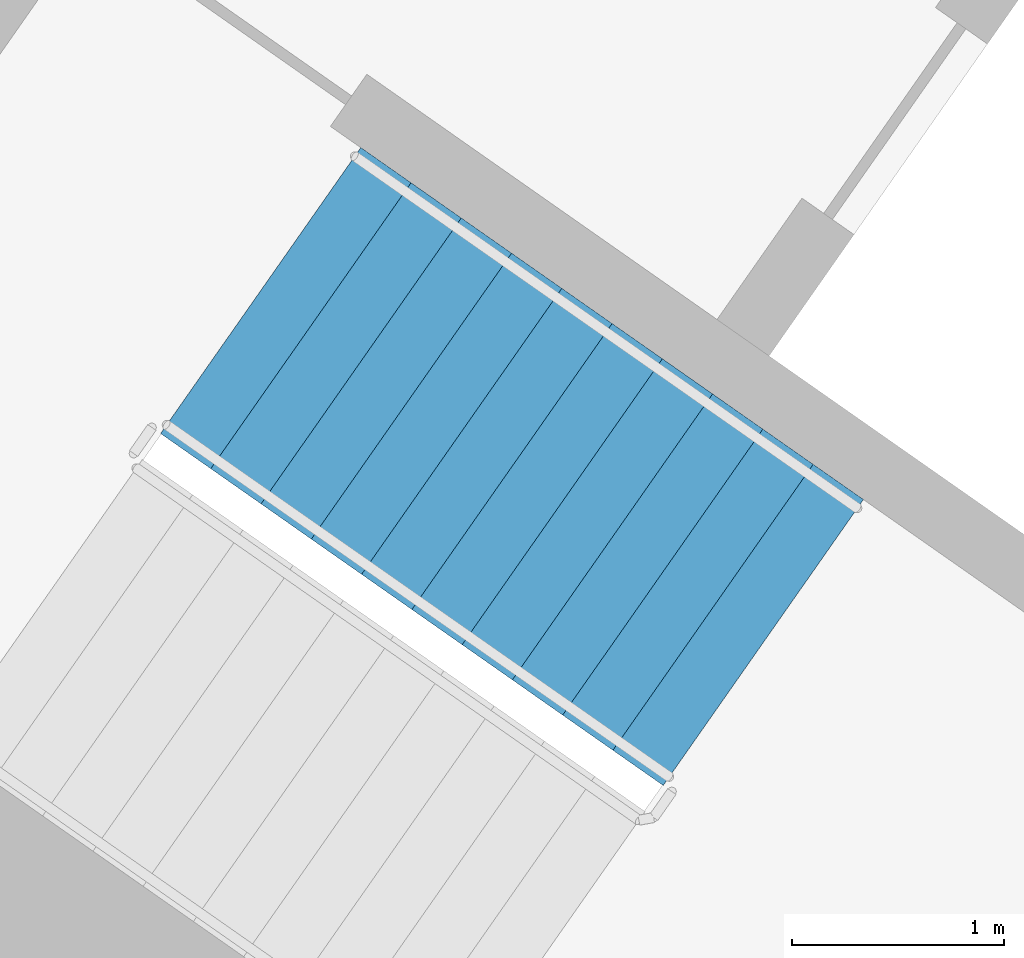
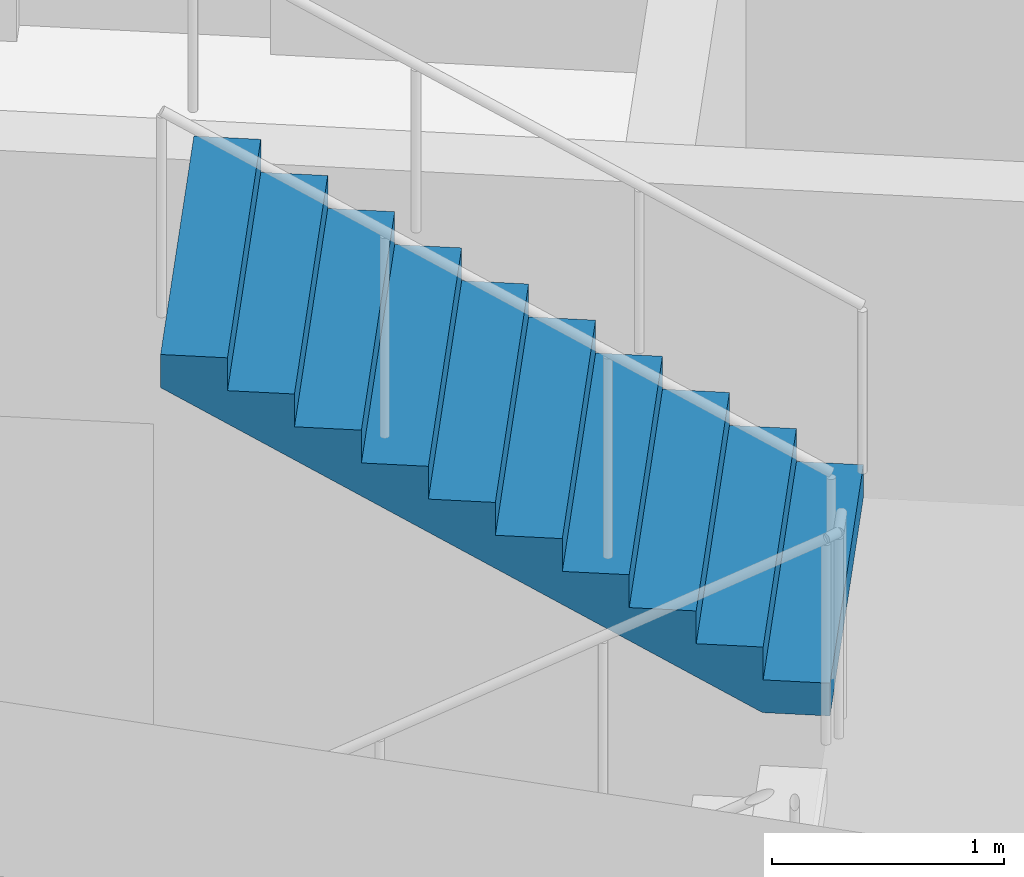
# One storey, part 12 of 33: 1 stair flight, 1 element without a shape of its own.
"""IFC4 building model written with IfcOpenShell, lengths in metres."""

import ifcopenshell
import ifcopenshell.guid

model = None  # the IFC model being written
_history = None  # IfcOwnerHistory: only IFC2X3 demands one
_inside = {}  # id of a spatial element -> (the spatial element, [elements in it])
_under = {}  # id of a project, library or spatial element -> (it, [spatial elements below it])
_declared = {}  # id of a project -> (the project, [libraries it declares])
_typed = {}  # id of a type object -> (the type object, [elements of that type])
_made_of = {}  # id of a material, layer set ... -> (it, [elements and type objects made of it])


def new_model(schema):
    """Start an empty IFC model of exactly this schema.

    Asked for "IFC4X3", IfcOpenShell would pick the latest addendum, in which some entities
    have other attributes; the version numbers below select the first issue.
    IFC2X3 requires an IfcOwnerHistory on every rooted entity: one is made here for all.
    """
    global model, _history
    if schema == "IFC4X3":
        model = ifcopenshell.file(schema_version=(4, 3, 0, 0))
    else:
        model = ifcopenshell.file(schema=schema)
    _inside.clear()
    _under.clear()
    _declared.clear()
    _typed.clear()
    _made_of.clear()
    _history = None
    if model.schema == "IFC2X3":
        org = make("IfcOrganization", Name="unknown")
        user = make(
            "IfcPersonAndOrganization",
            ThePerson=make("IfcPerson", FamilyName="unknown"),
            TheOrganization=org,
        )
        app = make(
            "IfcApplication",
            ApplicationDeveloper=org,
            Version="unknown",
            ApplicationFullName="unknown",
            ApplicationIdentifier="unknown",
        )
        _history = make(
            "IfcOwnerHistory",
            OwningUser=user,
            OwningApplication=app,
            ChangeAction="ADDED",
            CreationDate=0,
        )
    return model


def make(cls, **values):
    """One entity of the class cls with the attributes given. An attribute that is None is left unset."""
    return model.create_entity(
        cls, **{name: value for name, value in values.items() if value is not None}
    )


def rooted(cls, **values):
    """An entity with a GlobalId (a new one), such as an element, a storey or a relation."""
    return make(cls, GlobalId=ifcopenshell.guid.new(), OwnerHistory=_history, **values)


def si_unit(unit_type, name, prefix=None):
    """IfcSIUnit, for example si_unit("LENGTHUNIT", "METRE", prefix="MILLI")."""
    return make("IfcSIUnit", UnitType=unit_type, Prefix=prefix, Name=name)


def assignment(units):
    """IfcUnitAssignment: the units of a project."""
    return None if units is None else make("IfcUnitAssignment", Units=units)


def point(xyz):
    """IfcCartesianPoint."""
    return None if xyz is None else make("IfcCartesianPoint", Coordinates=xyz)


def direction(xyz):
    """IfcDirection."""
    return None if xyz is None else make("IfcDirection", DirectionRatios=xyz)


def frame(location, z_axis=None, x_axis=None):
    """IfcAxis2Placement3D, a coordinate frame: its origin and axes. An axis left out is left unset."""
    return make(
        "IfcAxis2Placement3D",
        Location=point(location),
        Axis=direction(z_axis),
        RefDirection=direction(x_axis),
    )


def origin():
    """The frame at (0, 0, 0) with its axes left unset."""
    return frame((0.0, 0.0, 0.0))


def place(relative_to, where):
    """IfcLocalPlacement: puts the frame where relative to a parent placement (None: the world)."""
    return make(
        "IfcLocalPlacement", PlacementRelTo=relative_to, RelativePlacement=where
    )


def context(
    kind, dimensions, precision=None, world=None, true_north=None, identifier=None
):
    """IfcGeometricRepresentationContext, for example the 3D "Model" context."""
    return make(
        "IfcGeometricRepresentationContext",
        ContextIdentifier=identifier,
        ContextType=kind,
        CoordinateSpaceDimension=dimensions,
        Precision=precision,
        WorldCoordinateSystem=world,
        TrueNorth=true_north,
    )


def subcontext(parent, identifier, kind, view, scale=None):
    """IfcGeometricRepresentationSubContext, for example "Body" below "Model"."""
    return make(
        "IfcGeometricRepresentationSubContext",
        ContextIdentifier=identifier,
        ContextType=kind,
        ParentContext=parent,
        TargetScale=scale,
        TargetView=view,
    )


def project(units=None, contexts=None):
    """IfcProject with its units and contexts."""
    return rooted(
        "IfcProject",
        Name="project",
        RepresentationContexts=contexts,
        UnitsInContext=assignment(units),
    )


def spatial(cls, under=None, at=None, **own):
    """A site, building, storey or space (cls), placed at a placement, below another one or the project."""
    s = rooted(cls, ObjectPlacement=at, **own)
    if under is not None:
        _under.setdefault(under.id(), (under, []))[1].append(s)
    return s


def faces_of(points, faces, orient=None, outer=None):
    """IfcFace entities. A face is a list of loops; a loop is a list of indices into points, from 0.

    orient and outer hold one flag for each loop. By default every Orientation is true, the
    first loop of a face is its IfcFaceOuterBound and the others are IfcFaceBound.
    """
    made = []
    for i, loops in enumerate(faces):
        bounds = []
        for j, loop in enumerate(loops):
            is_outer = j == 0 if outer is None else outer[i][j]
            bounds.append(
                make(
                    "IfcFaceOuterBound" if is_outer else "IfcFaceBound",
                    Bound=make("IfcPolyLoop", Polygon=[points[k] for k in loop]),
                    Orientation=True if orient is None else orient[i][j],
                )
            )
        made.append(make("IfcFace", Bounds=bounds))
    return made


def faceted_brep(points, faces, orient=None, outer=None, voids=None):
    """IfcFacetedBrep: a solid bounded by flat faces; with voids (closed shells), ...WithVoids."""
    shared = [point(p) for p in points]
    hull = make("IfcClosedShell", CfsFaces=faces_of(shared, faces, orient, outer))
    if voids is None:
        return make("IfcFacetedBrep", Outer=hull)
    return make(
        "IfcFacetedBrepWithVoids",
        Outer=hull,
        Voids=[
            make(cls, CfsFaces=faces_of(shared, fs, o, b)) for cls, fs, o, b in voids
        ],
    )


def shape(context_of_items, identifier, shape_type, items):
    """IfcShapeRepresentation: the items that make up one representation, for example the "Body"."""
    return make(
        "IfcShapeRepresentation",
        ContextOfItems=context_of_items,
        RepresentationIdentifier=identifier,
        RepresentationType=shape_type,
        Items=items,
    )


def material(Name=None, Category=None):
    """IfcMaterial."""
    return make("IfcMaterial", Name=Name, Category=Category)


def made_of(thing, what):
    """Note that an element or type object is made of a material, layer set ...; save() writes the relation."""
    if what is not None:
        _made_of.setdefault(what.id(), (what, []))[1].append(thing)
    return thing


def type_object(cls, material=None, **own):
    """A type object (cls), such as IfcWallType, which elements share."""
    return made_of(rooted(cls, **own), material)


def element(
    cls,
    number,
    at=None,
    inside=None,
    cuts=None,
    type_object=None,
    material=None,
    context=None,
    identifier="Body",
    shape_type=None,
    held_by="IfcProductDefinitionShape",
    body=None,
    shapes=None,
    **own,
):
    """One element of the class cls, such as IfcWall. Its Tag is "e" and its number.

    at: its placement. inside: the storey or other place that contains it. cuts: it is an
    opening in that element (IfcRelVoidsElement). A single representation is given by context,
    identifier, shape_type and body (its items); several are given by shapes. held_by: the class
    of the entity that holds the representations. save() writes the other relations.
    """
    e = rooted(cls, Tag="e%d" % number, ObjectPlacement=at, **own)
    if body is not None:
        shapes = [shape(context, identifier, shape_type, body)]
    if shapes is not None:
        e.Representation = make(held_by, Representations=shapes)
    if inside is not None:
        _inside.setdefault(inside.id(), (inside, []))[1].append(e)
    if cuts is not None:
        rooted(
            "IfcRelVoidsElement", RelatingBuildingElement=cuts, RelatedOpeningElement=e
        )
    if type_object is not None:
        _typed.setdefault(type_object.id(), (type_object, []))[1].append(e)
    return made_of(e, material)


def aggregate(whole, parts):
    """IfcRelAggregates: a whole, such as a stair, and the parts it consists of."""
    return rooted("IfcRelAggregates", RelatingObject=whole, RelatedObjects=parts)


def save(model, path):
    """Write the relations noted so far, then the file.

    IfcRelAggregates (storeys below a building ...), IfcRelContainedInSpatialStructure (elements
    in a storey), IfcRelDefinesByType, IfcRelAssociatesMaterial and IfcRelDeclares: one each for
    every whole, place, type object, material and project.
    """
    for whole, parts in _under.values():
        aggregate(whole, parts)
    for where, things in _inside.values():
        rooted(
            "IfcRelContainedInSpatialStructure",
            RelatedElements=things,
            RelatingStructure=where,
        )
    for kind, things in _typed.values():
        rooted("IfcRelDefinesByType", RelatedObjects=things, RelatingType=kind)
    for what, things in _made_of.values():
        rooted("IfcRelAssociatesMaterial", RelatedObjects=things, RelatingMaterial=what)
    for by, libraries in _declared.values():
        rooted("IfcRelDeclares", RelatingContext=by, RelatedDefinitions=libraries)
    model.write(path)


model = new_model("IFC4")

# Units and contexts
model_context = context("Model", 3, precision=1e-05, world=origin(), true_north=direction((0.0, 1.0)))
body_context = subcontext(model_context, "Body", "Model", "MODEL_VIEW")
ifc_project = project(units=[si_unit("LENGTHUNIT", "METRE"), si_unit("AREAUNIT", "SQUARE_METRE"), si_unit("VOLUMEUNIT", "CUBIC_METRE"), si_unit("PLANEANGLEUNIT", "RADIAN"), si_unit("MASSUNIT", "GRAM", prefix="KILO")], contexts=[model_context])

# Site, building, storey
site_placement = place(None, origin())
site = spatial("IfcSite", under=ifc_project, at=site_placement, CompositionType="ELEMENT")
building_placement = place(site_placement, origin())
building = spatial("IfcBuilding", under=site, at=building_placement, Name="Qamariyya Broadcast Tower", CompositionType="ELEMENT")
storey_placement = place(building_placement, frame((0.0, 0.0, 78.5)))
storey = spatial("IfcBuildingStorey", under=building, at=storey_placement, Name="L16", CompositionType="ELEMENT", Elevation=78.5)

# Stair, stair flight
ifc_material = material(Name="Concrete C50/60", Category="concrete")
stair_type = type_object("IfcStairType", Name="Exit stair 22 risers of 173 mm", PredefinedType="HALF_TURN_STAIR", material=ifc_material)
stair_placement = place(storey_placement, origin())
stair = element("IfcStair", 1, at=stair_placement, inside=storey, type_object=stair_type, Name="L16 Stair W1", PredefinedType="HALF_TURN_STAIR")
stair_flight_type = type_object("IfcStairFlightType", Name="Exit stair flight 11 risers of 173 mm", PredefinedType="STRAIGHT", material=ifc_material)
stair_flight_placement = place(storey_placement, frame((-43.660888671875, -57.17138671875, 1.89990234375), z_axis=(0.0, 0.0, 1.0), x_axis=(-0.819152044289, 0.573576436351, 0.0)))
stair_flight = element("IfcStairFlight", 2, at=stair_flight_placement, type_object=stair_flight_type, Name="ST-W1 flight 2", NumberOfRisers=11, NumberOfTreads=10, PredefinedType="STRAIGHT", RiserHeight=0.172727273, TreadLength=0.29, context=body_context, shape_type="Brep", body=[
    faceted_brep([(0.0, 0.824951171875, 0.0), (0.0, 0.824951171875, 0.172607421875), (0.2900390625, 0.824951171875, 0.172607421875), (0.2900390625, 0.824951171875, 0.345458984375), (0.580078125, 0.824951171875, 0.345458984375), (0.580078125, 0.824951171875, 0.51806640625), (0.8701171875, 0.824951171875, 0.51806640625), (0.8701171875, 0.824951171875, 0.69091796875), (1.159912109375, 0.824951171875, 0.69091796875), (1.159912109375, 0.824951171875, 0.863525390625), (1.449951171875, 0.824951171875, 0.863525390625), (1.449951171875, 0.824951171875, 1.036376953125), (1.739990234375, 0.824951171875, 1.036376953125), (1.739990234375, 0.824951171875, 1.208984375), (2.030029296875, 0.824951171875, 1.208984375), (2.030029296875, 0.824951171875, 1.3818359375), (2.320068359375, 0.824951171875, 1.3818359375), (2.320068359375, 0.824951171875, 1.554443359375), (2.610107421875, 0.824951171875, 1.554443359375), (2.610107421875, 0.824951171875, 1.727294921875), (2.89990234375, 0.824951171875, 1.727294921875), (2.89990234375, 0.824951171875, 1.552734375), (0.29296875, 0.824951171875, 0.0), (0.29296875, -0.824951171875, 0.0), (2.89990234375, -0.824951171875, 1.552734375), (2.89990234375, -0.824951171875, 1.727294921875), (2.610107421875, -0.824951171875, 1.727294921875), (2.610107421875, -0.824951171875, 1.554443359375), (2.320068359375, -0.824951171875, 1.554443359375), (2.320068359375, -0.824951171875, 1.3818359375), (2.030029296875, -0.824951171875, 1.3818359375), (2.030029296875, -0.824951171875, 1.208984375), (1.739990234375, -0.824951171875, 1.208984375), (1.739990234375, -0.824951171875, 1.036376953125), (1.449951171875, -0.824951171875, 1.036376953125), (1.449951171875, -0.824951171875, 0.863525390625), (1.159912109375, -0.824951171875, 0.863525390625), (1.159912109375, -0.824951171875, 0.69091796875), (0.8701171875, -0.824951171875, 0.69091796875), (0.8701171875, -0.824951171875, 0.51806640625), (0.580078125, -0.824951171875, 0.51806640625), (0.580078125, -0.824951171875, 0.345458984375), (0.2900390625, -0.824951171875, 0.345458984375), (0.2900390625, -0.824951171875, 0.172607421875), (0.0, -0.824951171875, 0.172607421875), (0.0, -0.824951171875, 0.0), (0.0, 0.10009765625, 0.0), (0.0, 0.086669921875, 0.0), (0.0, 0.0732421875, 0.0), (0.0, 0.06005859375, 0.0), (0.0, 0.046630859375, 0.0), (0.0, 0.033447265625, 0.0), (0.0, 0.02001953125, 0.0), (0.0, 0.006591796875, 0.0), (0.0, -0.006591796875, 0.0), (0.0, -0.02001953125, 0.0), (0.0, -0.033447265625, 0.0), (0.0, -0.046630859375, 0.0), (0.0, -0.06005859375, 0.0), (0.0, -0.0732421875, 0.0), (0.0, -0.086669921875, 0.0), (0.0, -0.10009765625, 0.0), (0.0, -0.10009765625, 0.172607421875), (0.0, -0.086669921875, 0.172607421875), (0.0, -0.0732421875, 0.172607421875), (0.0, -0.06005859375, 0.172607421875), (0.0, -0.046630859375, 0.172607421875), (0.0, -0.033447265625, 0.172607421875), (0.0, -0.02001953125, 0.172607421875), (0.0, -0.006591796875, 0.172607421875), (0.0, 0.006591796875, 0.172607421875), (0.0, 0.02001953125, 0.172607421875), (0.0, 0.033447265625, 0.172607421875), (0.0, 0.046630859375, 0.172607421875), (0.0, 0.06005859375, 0.172607421875), (0.0, 0.0732421875, 0.172607421875), (0.0, 0.086669921875, 0.172607421875), (0.0, 0.10009765625, 0.172607421875), (0.2900390625, -0.10009765625, 0.172607421875), (0.2900390625, -0.086669921875, 0.172607421875), (0.2900390625, -0.0732421875, 0.172607421875), (0.2900390625, -0.06005859375, 0.172607421875), (0.2900390625, -0.046630859375, 0.172607421875), (0.2900390625, -0.033447265625, 0.172607421875), (0.2900390625, -0.02001953125, 0.172607421875), (0.2900390625, -0.006591796875, 0.172607421875), (0.2900390625, 0.006591796875, 0.172607421875), (0.2900390625, 0.02001953125, 0.172607421875), (0.2900390625, 0.033447265625, 0.172607421875), (0.2900390625, 0.046630859375, 0.172607421875), (0.2900390625, 0.06005859375, 0.172607421875), (0.2900390625, 0.0732421875, 0.172607421875), (0.2900390625, 0.086669921875, 0.172607421875), (0.2900390625, 0.10009765625, 0.172607421875), (0.2900390625, -0.10009765625, 0.345458984375), (0.2900390625, -0.086669921875, 0.345458984375), (0.2900390625, -0.0732421875, 0.345458984375), (0.2900390625, -0.06005859375, 0.345458984375), (0.2900390625, -0.046630859375, 0.345458984375), (0.2900390625, -0.033447265625, 0.345458984375), (0.2900390625, -0.02001953125, 0.345458984375), (0.2900390625, -0.006591796875, 0.345458984375), (0.2900390625, 0.006591796875, 0.345458984375), (0.2900390625, 0.02001953125, 0.345458984375), (0.2900390625, 0.033447265625, 0.345458984375), (0.2900390625, 0.046630859375, 0.345458984375), (0.2900390625, 0.06005859375, 0.345458984375), (0.2900390625, 0.0732421875, 0.345458984375), (0.2900390625, 0.086669921875, 0.345458984375), (0.2900390625, 0.10009765625, 0.345458984375), (0.580078125, -0.10009765625, 0.345458984375), (0.580078125, -0.086669921875, 0.345458984375), (0.580078125, -0.0732421875, 0.345458984375), (0.580078125, -0.06005859375, 0.345458984375), (0.580078125, -0.046630859375, 0.345458984375), (0.580078125, -0.033447265625, 0.345458984375), (0.580078125, -0.02001953125, 0.345458984375), (0.580078125, -0.006591796875, 0.345458984375), (0.580078125, 0.006591796875, 0.345458984375), (0.580078125, 0.02001953125, 0.345458984375), (0.580078125, 0.033447265625, 0.345458984375), (0.580078125, 0.046630859375, 0.345458984375), (0.580078125, 0.06005859375, 0.345458984375), (0.580078125, 0.0732421875, 0.345458984375), (0.580078125, 0.086669921875, 0.345458984375), (0.580078125, 0.10009765625, 0.345458984375), (0.580078125, -0.10009765625, 0.51806640625), (0.580078125, -0.086669921875, 0.51806640625), (0.580078125, -0.0732421875, 0.51806640625), (0.580078125, -0.06005859375, 0.51806640625), (0.580078125, -0.046630859375, 0.51806640625), (0.580078125, -0.033447265625, 0.51806640625), (0.580078125, -0.02001953125, 0.51806640625), (0.580078125, -0.006591796875, 0.51806640625), (0.580078125, 0.006591796875, 0.51806640625), (0.580078125, 0.02001953125, 0.51806640625), (0.580078125, 0.033447265625, 0.51806640625), (0.580078125, 0.046630859375, 0.51806640625), (0.580078125, 0.06005859375, 0.51806640625), (0.580078125, 0.0732421875, 0.51806640625), (0.580078125, 0.086669921875, 0.51806640625), (0.580078125, 0.10009765625, 0.51806640625), (0.8701171875, -0.10009765625, 0.51806640625), (0.8701171875, -0.086669921875, 0.51806640625), (0.8701171875, -0.0732421875, 0.51806640625), (0.8701171875, -0.06005859375, 0.51806640625), (0.8701171875, -0.046630859375, 0.51806640625), (0.8701171875, -0.033447265625, 0.51806640625), (0.8701171875, -0.02001953125, 0.51806640625), (0.8701171875, -0.006591796875, 0.51806640625), (0.8701171875, 0.006591796875, 0.51806640625), (0.8701171875, 0.02001953125, 0.51806640625), (0.8701171875, 0.033447265625, 0.51806640625), (0.8701171875, 0.046630859375, 0.51806640625), (0.8701171875, 0.06005859375, 0.51806640625), (0.8701171875, 0.0732421875, 0.51806640625), (0.8701171875, 0.086669921875, 0.51806640625), (0.8701171875, 0.10009765625, 0.51806640625), (0.8701171875, -0.10009765625, 0.69091796875), (0.8701171875, -0.086669921875, 0.69091796875), (0.8701171875, -0.0732421875, 0.69091796875), (0.8701171875, -0.06005859375, 0.69091796875), (0.8701171875, -0.046630859375, 0.69091796875), (0.8701171875, -0.033447265625, 0.69091796875), (0.8701171875, -0.02001953125, 0.69091796875), (0.8701171875, -0.006591796875, 0.69091796875), (0.8701171875, 0.006591796875, 0.69091796875), (0.8701171875, 0.02001953125, 0.69091796875), (0.8701171875, 0.033447265625, 0.69091796875), (0.8701171875, 0.046630859375, 0.69091796875), (0.8701171875, 0.06005859375, 0.69091796875), (0.8701171875, 0.0732421875, 0.69091796875), (0.8701171875, 0.086669921875, 0.69091796875), (0.8701171875, 0.10009765625, 0.69091796875), (1.159912109375, -0.10009765625, 0.69091796875), (1.159912109375, -0.086669921875, 0.69091796875), (1.159912109375, -0.0732421875, 0.69091796875), (1.159912109375, -0.06005859375, 0.69091796875), (1.159912109375, -0.046630859375, 0.69091796875), (1.159912109375, -0.033447265625, 0.69091796875), (1.159912109375, -0.02001953125, 0.69091796875), (1.159912109375, -0.006591796875, 0.69091796875), (1.159912109375, 0.006591796875, 0.69091796875), (1.159912109375, 0.02001953125, 0.69091796875), (1.159912109375, 0.033447265625, 0.69091796875), (1.159912109375, 0.046630859375, 0.69091796875), (1.159912109375, 0.06005859375, 0.69091796875), (1.159912109375, 0.0732421875, 0.69091796875), (1.159912109375, 0.086669921875, 0.69091796875), (1.159912109375, 0.10009765625, 0.69091796875), (1.159912109375, -0.10009765625, 0.863525390625), (1.159912109375, -0.086669921875, 0.863525390625), (1.159912109375, -0.0732421875, 0.863525390625), (1.159912109375, -0.06005859375, 0.863525390625), (1.159912109375, -0.046630859375, 0.863525390625), (1.159912109375, -0.033447265625, 0.863525390625), (1.159912109375, -0.02001953125, 0.863525390625), (1.159912109375, -0.006591796875, 0.863525390625), (1.159912109375, 0.006591796875, 0.863525390625), (1.159912109375, 0.02001953125, 0.863525390625), (1.159912109375, 0.033447265625, 0.863525390625), (1.159912109375, 0.046630859375, 0.863525390625), (1.159912109375, 0.06005859375, 0.863525390625), (1.159912109375, 0.0732421875, 0.863525390625), (1.159912109375, 0.086669921875, 0.863525390625), (1.159912109375, 0.10009765625, 0.863525390625), (1.449951171875, -0.10009765625, 0.863525390625), (1.449951171875, -0.086669921875, 0.863525390625), (1.449951171875, -0.0732421875, 0.863525390625), (1.449951171875, -0.06005859375, 0.863525390625), (1.449951171875, -0.046630859375, 0.863525390625), (1.449951171875, -0.033447265625, 0.863525390625), (1.449951171875, -0.02001953125, 0.863525390625), (1.449951171875, -0.006591796875, 0.863525390625), (1.449951171875, 0.006591796875, 0.863525390625), (1.449951171875, 0.02001953125, 0.863525390625), (1.449951171875, 0.033447265625, 0.863525390625), (1.449951171875, 0.046630859375, 0.863525390625), (1.449951171875, 0.06005859375, 0.863525390625), (1.449951171875, 0.0732421875, 0.863525390625), (1.449951171875, 0.086669921875, 0.863525390625), (1.449951171875, 0.10009765625, 0.863525390625), (1.449951171875, -0.10009765625, 1.036376953125), (1.449951171875, -0.086669921875, 1.036376953125), (1.449951171875, -0.0732421875, 1.036376953125), (1.449951171875, -0.06005859375, 1.036376953125), (1.449951171875, -0.046630859375, 1.036376953125), (1.449951171875, -0.033447265625, 1.036376953125), (1.449951171875, -0.02001953125, 1.036376953125), (1.449951171875, -0.006591796875, 1.036376953125), (1.449951171875, 0.006591796875, 1.036376953125), (1.449951171875, 0.02001953125, 1.036376953125), (1.449951171875, 0.033447265625, 1.036376953125), (1.449951171875, 0.046630859375, 1.036376953125), (1.449951171875, 0.06005859375, 1.036376953125), (1.449951171875, 0.0732421875, 1.036376953125), (1.449951171875, 0.086669921875, 1.036376953125), (1.449951171875, 0.10009765625, 1.036376953125), (1.739990234375, -0.10009765625, 1.036376953125), (1.739990234375, -0.086669921875, 1.036376953125), (1.739990234375, -0.0732421875, 1.036376953125), (1.739990234375, -0.06005859375, 1.036376953125), (1.739990234375, -0.046630859375, 1.036376953125), (1.739990234375, -0.033447265625, 1.036376953125), (1.739990234375, -0.02001953125, 1.036376953125), (1.739990234375, -0.006591796875, 1.036376953125), (1.739990234375, 0.006591796875, 1.036376953125), (1.739990234375, 0.02001953125, 1.036376953125), (1.739990234375, 0.033447265625, 1.036376953125), (1.739990234375, 0.046630859375, 1.036376953125), (1.739990234375, 0.06005859375, 1.036376953125), (1.739990234375, 0.0732421875, 1.036376953125), (1.739990234375, 0.086669921875, 1.036376953125), (1.739990234375, 0.10009765625, 1.036376953125), (1.739990234375, -0.10009765625, 1.208984375), (1.739990234375, -0.086669921875, 1.208984375), (1.739990234375, -0.0732421875, 1.208984375), (1.739990234375, -0.06005859375, 1.208984375), (1.739990234375, -0.046630859375, 1.208984375), (1.739990234375, -0.033447265625, 1.208984375), (1.739990234375, -0.02001953125, 1.208984375), (1.739990234375, -0.006591796875, 1.208984375), (1.739990234375, 0.006591796875, 1.208984375), (1.739990234375, 0.02001953125, 1.208984375), (1.739990234375, 0.033447265625, 1.208984375), (1.739990234375, 0.046630859375, 1.208984375), (1.739990234375, 0.06005859375, 1.208984375), (1.739990234375, 0.0732421875, 1.208984375), (1.739990234375, 0.086669921875, 1.208984375), (1.739990234375, 0.10009765625, 1.208984375), (2.030029296875, -0.10009765625, 1.208984375), (2.030029296875, -0.086669921875, 1.208984375), (2.030029296875, -0.0732421875, 1.208984375), (2.030029296875, -0.06005859375, 1.208984375), (2.030029296875, -0.046630859375, 1.208984375), (2.030029296875, -0.033447265625, 1.208984375), (2.030029296875, -0.02001953125, 1.208984375), (2.030029296875, -0.006591796875, 1.208984375), (2.030029296875, 0.006591796875, 1.208984375), (2.030029296875, 0.02001953125, 1.208984375), (2.030029296875, 0.033447265625, 1.208984375), (2.030029296875, 0.046630859375, 1.208984375), (2.030029296875, 0.06005859375, 1.208984375), (2.030029296875, 0.0732421875, 1.208984375), (2.030029296875, 0.086669921875, 1.208984375), (2.030029296875, 0.10009765625, 1.208984375), (2.030029296875, -0.10009765625, 1.3818359375), (2.030029296875, -0.086669921875, 1.3818359375), (2.030029296875, -0.0732421875, 1.3818359375), (2.030029296875, -0.06005859375, 1.3818359375), (2.030029296875, -0.046630859375, 1.3818359375), (2.030029296875, -0.033447265625, 1.3818359375), (2.030029296875, -0.02001953125, 1.3818359375), (2.030029296875, -0.006591796875, 1.3818359375), (2.030029296875, 0.006591796875, 1.3818359375), (2.030029296875, 0.02001953125, 1.3818359375), (2.030029296875, 0.033447265625, 1.3818359375), (2.030029296875, 0.046630859375, 1.3818359375), (2.030029296875, 0.06005859375, 1.3818359375), (2.030029296875, 0.0732421875, 1.3818359375), (2.030029296875, 0.086669921875, 1.3818359375), (2.030029296875, 0.10009765625, 1.3818359375), (2.320068359375, -0.10009765625, 1.3818359375), (2.320068359375, -0.086669921875, 1.3818359375), (2.320068359375, -0.0732421875, 1.3818359375), (2.320068359375, -0.06005859375, 1.3818359375), (2.320068359375, -0.046630859375, 1.3818359375), (2.320068359375, -0.033447265625, 1.3818359375), (2.320068359375, -0.02001953125, 1.3818359375), (2.320068359375, -0.006591796875, 1.3818359375), (2.320068359375, 0.006591796875, 1.3818359375), (2.320068359375, 0.02001953125, 1.3818359375), (2.320068359375, 0.033447265625, 1.3818359375), (2.320068359375, 0.046630859375, 1.3818359375), (2.320068359375, 0.06005859375, 1.3818359375), (2.320068359375, 0.0732421875, 1.3818359375), (2.320068359375, 0.086669921875, 1.3818359375), (2.320068359375, 0.10009765625, 1.3818359375), (2.320068359375, -0.10009765625, 1.554443359375), (2.320068359375, -0.086669921875, 1.554443359375), (2.320068359375, -0.0732421875, 1.554443359375), (2.320068359375, -0.06005859375, 1.554443359375), (2.320068359375, -0.046630859375, 1.554443359375), (2.320068359375, -0.033447265625, 1.554443359375), (2.320068359375, -0.02001953125, 1.554443359375), (2.320068359375, -0.006591796875, 1.554443359375), (2.320068359375, 0.006591796875, 1.554443359375), (2.320068359375, 0.02001953125, 1.554443359375), (2.320068359375, 0.033447265625, 1.554443359375), (2.320068359375, 0.046630859375, 1.554443359375), (2.320068359375, 0.06005859375, 1.554443359375), (2.320068359375, 0.0732421875, 1.554443359375), (2.320068359375, 0.086669921875, 1.554443359375), (2.320068359375, 0.10009765625, 1.554443359375), (2.610107421875, -0.10009765625, 1.554443359375), (2.610107421875, -0.086669921875, 1.554443359375), (2.610107421875, -0.0732421875, 1.554443359375), (2.610107421875, -0.06005859375, 1.554443359375), (2.610107421875, -0.046630859375, 1.554443359375), (2.610107421875, -0.033447265625, 1.554443359375), (2.610107421875, -0.02001953125, 1.554443359375), (2.610107421875, -0.006591796875, 1.554443359375), (2.610107421875, 0.006591796875, 1.554443359375), (2.610107421875, 0.02001953125, 1.554443359375), (2.610107421875, 0.033447265625, 1.554443359375), (2.610107421875, 0.046630859375, 1.554443359375), (2.610107421875, 0.06005859375, 1.554443359375), (2.610107421875, 0.0732421875, 1.554443359375), (2.610107421875, 0.086669921875, 1.554443359375), (2.610107421875, 0.10009765625, 1.554443359375), (2.610107421875, -0.10009765625, 1.727294921875), (2.610107421875, -0.086669921875, 1.727294921875), (2.610107421875, -0.0732421875, 1.727294921875), (2.610107421875, -0.06005859375, 1.727294921875), (2.610107421875, -0.046630859375, 1.727294921875), (2.610107421875, -0.033447265625, 1.727294921875), (2.610107421875, -0.02001953125, 1.727294921875), (2.610107421875, -0.006591796875, 1.727294921875), (2.610107421875, 0.006591796875, 1.727294921875), (2.610107421875, 0.02001953125, 1.727294921875), (2.610107421875, 0.033447265625, 1.727294921875), (2.610107421875, 0.046630859375, 1.727294921875), (2.610107421875, 0.06005859375, 1.727294921875), (2.610107421875, 0.0732421875, 1.727294921875), (2.610107421875, 0.086669921875, 1.727294921875), (2.610107421875, 0.10009765625, 1.727294921875), (2.89990234375, -0.10009765625, 1.727294921875), (2.89990234375, -0.086669921875, 1.727294921875), (2.89990234375, -0.0732421875, 1.727294921875), (2.89990234375, -0.06005859375, 1.727294921875), (2.89990234375, -0.046630859375, 1.727294921875), (2.89990234375, -0.033447265625, 1.727294921875), (2.89990234375, -0.02001953125, 1.727294921875), (2.89990234375, -0.006591796875, 1.727294921875), (2.89990234375, 0.006591796875, 1.727294921875), (2.89990234375, 0.02001953125, 1.727294921875), (2.89990234375, 0.033447265625, 1.727294921875), (2.89990234375, 0.046630859375, 1.727294921875), (2.89990234375, 0.06005859375, 1.727294921875), (2.89990234375, 0.0732421875, 1.727294921875), (2.89990234375, 0.086669921875, 1.727294921875), (2.89990234375, 0.10009765625, 1.727294921875), (2.89990234375, -0.10009765625, 1.552734375), (2.89990234375, -0.086669921875, 1.552734375), (2.89990234375, -0.0732421875, 1.552734375), (2.89990234375, -0.06005859375, 1.552734375), (2.89990234375, -0.046630859375, 1.552734375), (2.89990234375, -0.033447265625, 1.552734375), (2.89990234375, -0.02001953125, 1.552734375), (2.89990234375, -0.006591796875, 1.552734375), (2.89990234375, 0.006591796875, 1.552734375), (2.89990234375, 0.02001953125, 1.552734375), (2.89990234375, 0.033447265625, 1.552734375), (2.89990234375, 0.046630859375, 1.552734375), (2.89990234375, 0.06005859375, 1.552734375), (2.89990234375, 0.0732421875, 1.552734375), (2.89990234375, 0.086669921875, 1.552734375), (2.89990234375, 0.10009765625, 1.552734375), (0.29296875, -0.10009765625, 0.0), (0.29296875, -0.086669921875, 0.0), (0.29296875, -0.0732421875, 0.0), (0.29296875, -0.06005859375, 0.0), (0.29296875, -0.046630859375, 0.0), (0.29296875, -0.033447265625, 0.0), (0.29296875, -0.02001953125, 0.0), (0.29296875, -0.006591796875, 0.0), (0.29296875, 0.006591796875, 0.0), (0.29296875, 0.02001953125, 0.0), (0.29296875, 0.033447265625, 0.0), (0.29296875, 0.046630859375, 0.0), (0.29296875, 0.06005859375, 0.0), (0.29296875, 0.0732421875, 0.0), (0.29296875, 0.086669921875, 0.0), (0.29296875, 0.10009765625, 0.0)], [[[0, 1, 2, 3, 4, 5, 6, 7, 8, 9, 10, 11, 12, 13, 14, 15, 16, 17, 18, 19, 20, 21, 22]], [[23, 24, 25, 26, 27, 28, 29, 30, 31, 32, 33, 34, 35, 36, 37, 38, 39, 40, 41, 42, 43, 44, 45]], [[0, 46, 47, 48, 49, 50, 51, 52, 53, 54, 55, 56, 57, 58, 59, 60, 61, 45, 44, 62, 63, 64, 65, 66, 67, 68, 69, 70, 71, 72, 73, 74, 75, 76, 77, 1]], [[1, 77, 76, 75, 74, 73, 72, 71, 70, 69, 68, 67, 66, 65, 64, 63, 62, 44, 43, 78, 79, 80, 81, 82, 83, 84, 85, 86, 87, 88, 89, 90, 91, 92, 93, 2]], [[2, 93, 92, 91, 90, 89, 88, 87, 86, 85, 84, 83, 82, 81, 80, 79, 78, 43, 42, 94, 95, 96, 97, 98, 99, 100, 101, 102, 103, 104, 105, 106, 107, 108, 109, 3]], [[3, 109, 108, 107, 106, 105, 104, 103, 102, 101, 100, 99, 98, 97, 96, 95, 94, 42, 41, 110, 111, 112, 113, 114, 115, 116, 117, 118, 119, 120, 121, 122, 123, 124, 125, 4]], [[4, 125, 124, 123, 122, 121, 120, 119, 118, 117, 116, 115, 114, 113, 112, 111, 110, 41, 40, 126, 127, 128, 129, 130, 131, 132, 133, 134, 135, 136, 137, 138, 139, 140, 141, 5]], [[5, 141, 140, 139, 138, 137, 136, 135, 134, 133, 132, 131, 130, 129, 128, 127, 126, 40, 39, 142, 143, 144, 145, 146, 147, 148, 149, 150, 151, 152, 153, 154, 155, 156, 157, 6]], [[6, 157, 156, 155, 154, 153, 152, 151, 150, 149, 148, 147, 146, 145, 144, 143, 142, 39, 38, 158, 159, 160, 161, 162, 163, 164, 165, 166, 167, 168, 169, 170, 171, 172, 173, 7]], [[7, 173, 172, 171, 170, 169, 168, 167, 166, 165, 164, 163, 162, 161, 160, 159, 158, 38, 37, 174, 175, 176, 177, 178, 179, 180, 181, 182, 183, 184, 185, 186, 187, 188, 189, 8]], [[8, 189, 188, 187, 186, 185, 184, 183, 182, 181, 180, 179, 178, 177, 176, 175, 174, 37, 36, 190, 191, 192, 193, 194, 195, 196, 197, 198, 199, 200, 201, 202, 203, 204, 205, 9]], [[9, 205, 204, 203, 202, 201, 200, 199, 198, 197, 196, 195, 194, 193, 192, 191, 190, 36, 35, 206, 207, 208, 209, 210, 211, 212, 213, 214, 215, 216, 217, 218, 219, 220, 221, 10]], [[10, 221, 220, 219, 218, 217, 216, 215, 214, 213, 212, 211, 210, 209, 208, 207, 206, 35, 34, 222, 223, 224, 225, 226, 227, 228, 229, 230, 231, 232, 233, 234, 235, 236, 237, 11]], [[11, 237, 236, 235, 234, 233, 232, 231, 230, 229, 228, 227, 226, 225, 224, 223, 222, 34, 33, 238, 239, 240, 241, 242, 243, 244, 245, 246, 247, 248, 249, 250, 251, 252, 253, 12]], [[12, 253, 252, 251, 250, 249, 248, 247, 246, 245, 244, 243, 242, 241, 240, 239, 238, 33, 32, 254, 255, 256, 257, 258, 259, 260, 261, 262, 263, 264, 265, 266, 267, 268, 269, 13]], [[13, 269, 268, 267, 266, 265, 264, 263, 262, 261, 260, 259, 258, 257, 256, 255, 254, 32, 31, 270, 271, 272, 273, 274, 275, 276, 277, 278, 279, 280, 281, 282, 283, 284, 285, 14]], [[14, 285, 284, 283, 282, 281, 280, 279, 278, 277, 276, 275, 274, 273, 272, 271, 270, 31, 30, 286, 287, 288, 289, 290, 291, 292, 293, 294, 295, 296, 297, 298, 299, 300, 301, 15]], [[15, 301, 300, 299, 298, 297, 296, 295, 294, 293, 292, 291, 290, 289, 288, 287, 286, 30, 29, 302, 303, 304, 305, 306, 307, 308, 309, 310, 311, 312, 313, 314, 315, 316, 317, 16]], [[16, 317, 316, 315, 314, 313, 312, 311, 310, 309, 308, 307, 306, 305, 304, 303, 302, 29, 28, 318, 319, 320, 321, 322, 323, 324, 325, 326, 327, 328, 329, 330, 331, 332, 333, 17]], [[17, 333, 332, 331, 330, 329, 328, 327, 326, 325, 324, 323, 322, 321, 320, 319, 318, 28, 27, 334, 335, 336, 337, 338, 339, 340, 341, 342, 343, 344, 345, 346, 347, 348, 349, 18]], [[18, 349, 348, 347, 346, 345, 344, 343, 342, 341, 340, 339, 338, 337, 336, 335, 334, 27, 26, 350, 351, 352, 353, 354, 355, 356, 357, 358, 359, 360, 361, 362, 363, 364, 365, 19]], [[19, 365, 364, 363, 362, 361, 360, 359, 358, 357, 356, 355, 354, 353, 352, 351, 350, 26, 25, 366, 367, 368, 369, 370, 371, 372, 373, 374, 375, 376, 377, 378, 379, 380, 381, 20]], [[20, 381, 380, 379, 378, 377, 376, 375, 374, 373, 372, 371, 370, 369, 368, 367, 366, 25, 24, 382, 383, 384, 385, 386, 387, 388, 389, 390, 391, 392, 393, 394, 395, 396, 397, 21]], [[21, 397, 396, 395, 394, 393, 392, 391, 390, 389, 388, 387, 386, 385, 384, 383, 382, 24, 23, 398, 399, 400, 401, 402, 403, 404, 405, 406, 407, 408, 409, 410, 411, 412, 413, 22]], [[22, 413, 412, 411, 410, 409, 408, 407, 406, 405, 404, 403, 402, 401, 400, 399, 398, 23, 45, 61, 60, 59, 58, 57, 56, 55, 54, 53, 52, 51, 50, 49, 48, 47, 46, 0]]]),
])
aggregate(stair, [stair_flight])

save(model, "model.ifc")
